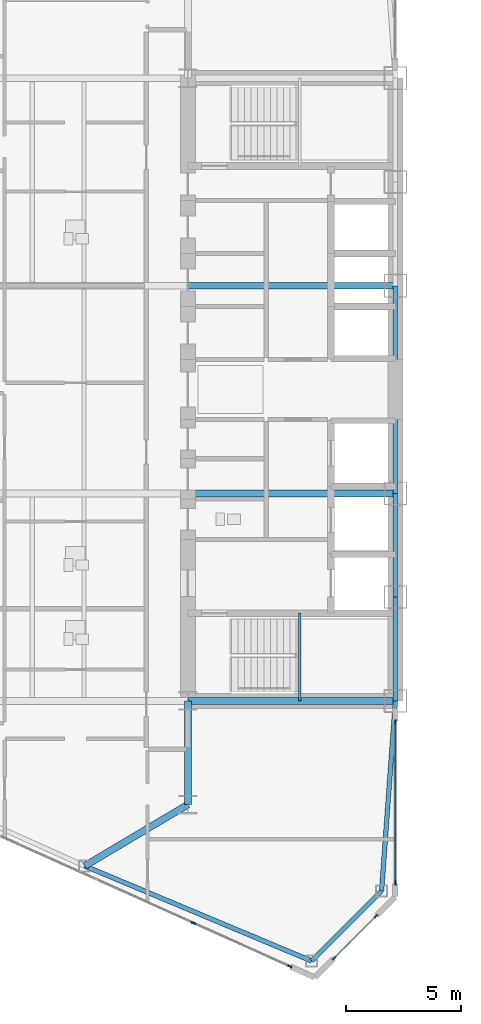
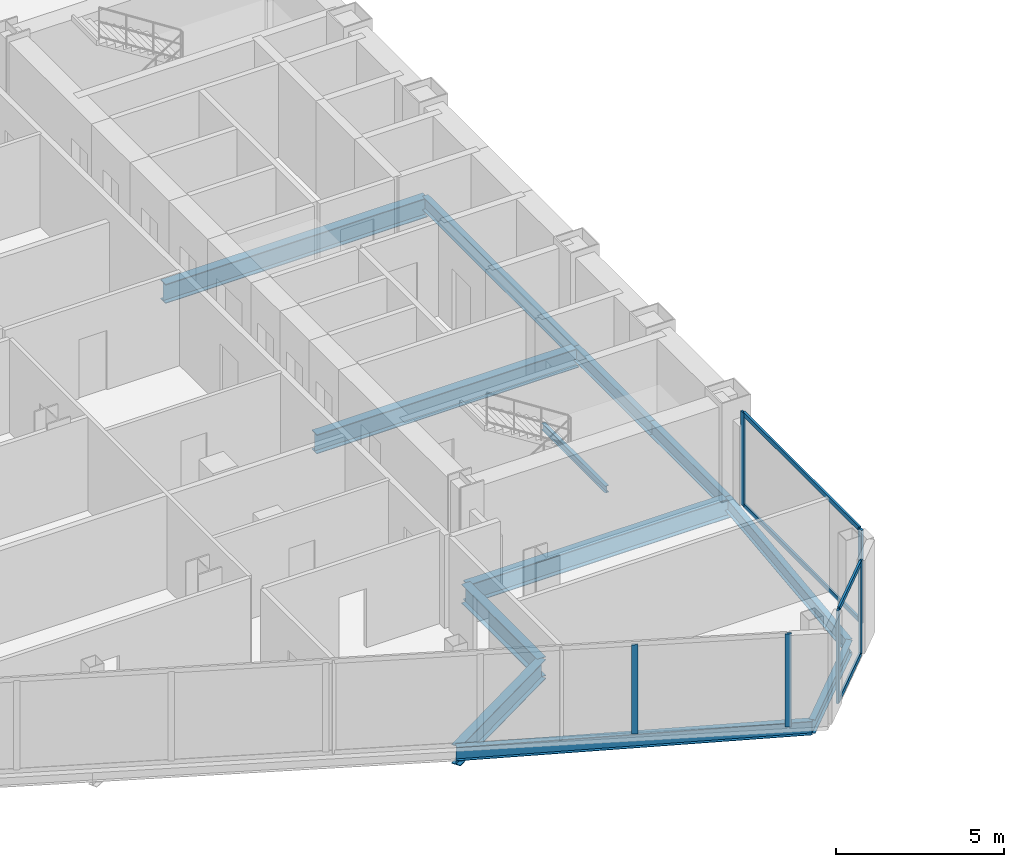
# One storey, part 6 of 27: 12 beams, 10 members, 3 elements without a shape of their own.
"""IFC4 building model written with IfcOpenShell, lengths in metres."""

from ifc_helpers import new_model, si_unit, direction, frame, origin, origin_2d, place, context, subcontext, project, spatial, rectangle, i_section, extrude, source, transform, mapped, material, layer, layer_set, material_profile, profile_set, type_object, type_shapes, element, aggregate, save


model = new_model("IFC4")

# Units and contexts
model_context = context("Model", 3, precision=1e-05, world=origin(), true_north=direction((0.0, 1.0)))
body_context = subcontext(model_context, "Body", "Model", "MODEL_VIEW")
ifc_project = project(units=[si_unit("LENGTHUNIT", "METRE"), si_unit("AREAUNIT", "SQUARE_METRE"), si_unit("VOLUMEUNIT", "CUBIC_METRE"), si_unit("PLANEANGLEUNIT", "RADIAN"), si_unit("MASSUNIT", "GRAM", prefix="KILO")], contexts=[model_context])

# Site, building, storey
site_placement = place(None, origin())
site = spatial("IfcSite", under=ifc_project, at=site_placement, CompositionType="ELEMENT")
building_placement = place(site_placement, origin())
building = spatial("IfcBuilding", under=site, at=building_placement, Name="Seokmaru Belvedere", CompositionType="ELEMENT")
storey_placement = place(building_placement, frame((0.0, 0.0, 76.5)))
storey = spatial("IfcBuildingStorey", under=building, at=storey_placement, Name="L20", CompositionType="ELEMENT", Elevation=76.5)

# Beams
ifc_material_1 = material(Name="Steel SM355 (355 MPa)", Category="steel")
ifc_material_profile_1 = material_profile(ifc_material_1, i_section(OverallWidth=0.199951171875, OverallDepth=0.5, WebThickness=0.010009765625, FlangeThickness=0.01611328125, at=origin_2d()), Name="H-500x200x10x16")
ifc_profile_set_1 = profile_set([ifc_material_profile_1], Name="Steel SM355 (355 MPa)")
beam_type_1 = type_object("IfcBeamType", Name="Perimeter Spandrel Beam H-500", PredefinedType="SPANDREL", material=ifc_profile_set_1)
shared_shape_1 = source(origin(), body_context, "Body", "SweptSolid", [
    extrude(i_section(OverallWidth=0.199951171875, OverallDepth=0.5, WebThickness=0.010009765625, FlangeThickness=0.01611328125, at=origin_2d()), origin(), (0.0, 0.0, 1.0), 4.5),
])
for number, where, z_axis, x_axis, name in (
    (1, (-27.5, -13.5, -0.469970703125), (0.0, 1.0, 0.0), (-1.0, 0.0, 0.0), "L20 W Portal Spine Spandrel 1"),
    (2, (-27.5, -9.0, -0.469970703125), (0.0, 1.0, 0.0), (-1.0, 0.0, 0.0), "L20 W Portal Spine Spandrel 2"),
):
    element("IfcBeam", number, at=place(storey_placement, frame(where, z_axis=z_axis, x_axis=x_axis)), inside=storey, type_object=beam_type_1, Name=name, PredefinedType="SPANDREL", context=body_context, shape_type="MappedRepresentation", body=[
        mapped(shared_shape_1, transform((0.0, 0.0, 0.0), scale=1.0)),
    ])
shared_shape_2 = source(origin(), body_context, "Body", "SweptSolid", [
    extrude(i_section(OverallWidth=0.199951171875, OverallDepth=0.5, WebThickness=0.010009765625, FlangeThickness=0.01611328125, at=origin_2d()), origin(), (0.0, 0.0, 1.0), 9.0),
])
beam_1_placement = place(storey_placement, frame((-27.5, -4.5, -0.469970703125), z_axis=(0.0, 1.0, 0.0), x_axis=(-1.0, 0.0, 0.0)))
element("IfcBeam", 3, at=beam_1_placement, inside=storey, type_object=beam_type_1, Name="L20 W Portal Spine Spandrel 3", PredefinedType="SPANDREL", context=body_context, shape_type="MappedRepresentation", body=[
    mapped(shared_shape_2, transform((0.0, 0.0, 0.0), scale=1.0)),
])
ifc_material_profile_2 = material_profile(ifc_material_1, i_section(OverallWidth=0.300048828125, OverallDepth=0.699951171875, WebThickness=0.012939453125, FlangeThickness=0.02392578125, at=origin_2d()), Name="H-700x300x13x24")
ifc_profile_set_2 = profile_set([ifc_material_profile_2], Name="Steel SM355 (355 MPa)")
beam_type_2 = type_object("IfcBeamType", Name="Primary Floor Girder H-700", PredefinedType="BEAM", material=ifc_profile_set_2)
shared_shape_3 = source(origin(), body_context, "Body", "SweptSolid", [
    extrude(i_section(OverallWidth=0.300048828125, OverallDepth=0.699951171875, WebThickness=0.012939453125, FlangeThickness=0.02392578125, at=origin_2d()), origin(), (0.0, 0.0, 1.0), 4.5),
])
beam_2_placement = place(storey_placement, frame((-36.5, -18.0, -0.570068359375), z_axis=(0.0, 1.0, 0.0), x_axis=(-1.0, 0.0, 0.0)))
element("IfcBeam", 4, at=beam_2_placement, inside=storey, type_object=beam_type_2, Name="L20 W Core Shoulder Girder S", PredefinedType="BEAM", context=body_context, shape_type="MappedRepresentation", body=[
    mapped(shared_shape_3, transform((0.0, 0.0, 0.0), scale=1.0)),
])
shared_shape_4 = source(origin(), body_context, "Body", "SweptSolid", [
    extrude(i_section(OverallWidth=0.300048828125, OverallDepth=0.699951171875, WebThickness=0.012939453125, FlangeThickness=0.02392578125, at=origin_2d()), origin(), (0.0, 0.0, 1.0), 9.0),
])
for number, where, z_axis, x_axis, name in (
    (5, (-36.5, -13.5, -0.570068359375), (1.0, 0.0, 0.0), (0.0, 1.0, 0.0), "L20 W Core Tie Girder 1"),
    (6, (-36.5, -4.5, -0.570068359375), (1.0, 0.0, 0.0), (0.0, 1.0, 0.0), "L20 W Core Tie Girder 2"),
    (7, (-36.5, 4.5, -0.570068359375), (1.0, 0.0, 0.0), (0.0, 1.0, 0.0), "L20 W Core Tie Girder 3"),
):
    element("IfcBeam", number, at=place(storey_placement, frame(where, z_axis=z_axis, x_axis=x_axis)), inside=storey, type_object=beam_type_2, Name=name, PredefinedType="BEAM", context=body_context, shape_type="MappedRepresentation", body=[
        mapped(shared_shape_4, transform((0.0, 0.0, 0.0), scale=1.0)),
    ])
shared_shape_5 = source(origin(), body_context, "Body", "SweptSolid", [
    extrude(i_section(OverallWidth=0.199951171875, OverallDepth=0.5, WebThickness=0.010009765625, FlangeThickness=0.01611328125, at=origin_2d()), origin(), (0.0, 0.0, 1.0), 10.66943359375),
])
beam_3_placement = place(storey_placement, frame((-31.13134765625, -24.782958984375, -0.469970703125), z_axis=(-0.922375393128, 0.386294750355, 0.0), x_axis=(-0.386294750355, -0.922375393128, 0.0)))
element("IfcBeam", 8, at=beam_3_placement, inside=storey, type_object=beam_type_1, Name="L20 W Faceted Flank Spandrel S-1", PredefinedType="SPANDREL", context=body_context, shape_type="MappedRepresentation", body=[
    mapped(shared_shape_5, transform((0.0, 0.0, 0.0), scale=1.0)),
])
shared_shape_6 = source(origin(), body_context, "Body", "SweptSolid", [
    extrude(i_section(OverallWidth=0.199951171875, OverallDepth=0.5, WebThickness=0.010009765625, FlangeThickness=0.01611328125, at=origin_2d()), origin(), (0.0, 0.0, 1.0), 4.287109375),
])
beam_4_placement = place(storey_placement, frame((-31.13134765625, -24.782958984375, -0.469970703125), z_axis=(0.707078306132, 0.707135255094, 0.0), x_axis=(-0.707135255094, 0.707078306132, 0.0)))
element("IfcBeam", 9, at=beam_4_placement, inside=storey, type_object=beam_type_1, Name="L20 W Shoulder Chamfer Spandrel S", PredefinedType="SPANDREL", context=body_context, shape_type="MappedRepresentation", body=[
    mapped(shared_shape_6, transform((0.0, 0.0, 0.0), scale=1.0)),
])
shared_shape_7 = source(origin(), body_context, "Body", "SweptSolid", [
    extrude(i_section(OverallWidth=0.199951171875, OverallDepth=0.5, WebThickness=0.010009765625, FlangeThickness=0.01611328125, at=origin_2d()), origin(), (0.0, 0.0, 1.0), 8.273193359375),
])
type_shapes(beam_type_1, [shared_shape_1, shared_shape_2, shared_shape_5, shared_shape_6, shared_shape_7])
beam_5_placement = place(storey_placement, frame((-28.10009765625, -21.75146484375, -0.469970703125), z_axis=(0.072534628348, 0.99736589459, 0.0), x_axis=(-0.99736589459, 0.072534628348, 0.0)))
element("IfcBeam", 10, at=beam_5_placement, inside=storey, type_object=beam_type_1, Name="L20 W Shoulder Spine Spandrel S", PredefinedType="SPANDREL", context=body_context, shape_type="MappedRepresentation", body=[
    mapped(shared_shape_7, transform((0.0, 0.0, 0.0), scale=1.0)),
])
shared_shape_8 = source(origin(), body_context, "Body", "SweptSolid", [
    extrude(i_section(OverallWidth=0.300048828125, OverallDepth=0.699951171875, WebThickness=0.012939453125, FlangeThickness=0.02392578125, at=origin_2d()), origin(), (0.0, 0.0, 1.0), 5.20458984375),
])
type_shapes(beam_type_2, [shared_shape_3, shared_shape_4, shared_shape_8])
beam_6_placement = place(storey_placement, frame((-40.97265625, -20.661376953125, -0.570068359375), z_axis=(0.859370434188, 0.511353553662, 0.0), x_axis=(-0.511353553662, 0.859370434188, 0.0)))
element("IfcBeam", 11, at=beam_6_placement, inside=storey, type_object=beam_type_2, Name="L20 W Flank Radial Floor Girder S-1", PredefinedType="BEAM", context=body_context, shape_type="MappedRepresentation", body=[
    mapped(shared_shape_8, transform((0.0, 0.0, 0.0), scale=1.0)),
])

# Curtain wall, members
ifc_material_2 = material(Name="Bronze Triple Insulating Glass", Category="glass")
ifc_layer = layer(ifc_material_2, 0.195068359375)
ifc_layer_set = layer_set([ifc_layer], Name="Bronze Triple Insulating Glass")
curtain_wall_type = type_object("IfcCurtainWallType", Name="Lower-Mid Tapered Curtain Wall System CW-3", PredefinedType="NOTDEFINED", material=ifc_layer_set)
curtain_wall_1_placement = place(storey_placement, origin())
curtain_wall_1 = element("IfcCurtainWall", 12, at=curtain_wall_1_placement, inside=storey, type_object=curtain_wall_type, Name="L20 Curtain Wall WSP_1", PredefinedType="NOTDEFINED")
ifc_material_3 = material(Name="Anodised Bronze Aluminium", Category="aluminium")
ifc_material_profile_3 = material_profile(ifc_material_3, rectangle(XDim=0.070068359375, YDim=0.195068359375, at=origin_2d()), Name="CW-M-70x195")
ifc_profile_set_3 = profile_set([ifc_material_profile_3], Name="Anodised Bronze Aluminium")
member_type_1 = type_object("IfcMemberType", Name="Bronze Unitised Mullion 70x195", PredefinedType="MULLION", material=ifc_profile_set_3)
shared_shape_9 = source(origin(), body_context, "Body", "SweptSolid", [
    extrude(rectangle(XDim=0.070068359375, YDim=0.195068359375, at=origin_2d()), origin(), (0.0, 0.0, 1.0), 3.3798828125),
])
member_1_placement = place(storey_placement, frame((-27.5, -21.39501953125, 0.0), z_axis=(0.0, 0.0, 1.0), x_axis=(-1.0, 0.0, 0.0)))
member_1 = element("IfcMember", 13, at=member_1_placement, type_object=member_type_1, Name="CW:L20:WSP_1 Mullion 1", PredefinedType="MULLION", context=body_context, shape_type="MappedRepresentation", body=[
    mapped(shared_shape_9, transform((0.0, 0.0, 0.0), scale=1.0)),
])
member_2_placement = place(storey_placement, frame((-27.5, -14.4150390625, 0.0), z_axis=(0.0, 0.0, 1.0), x_axis=(-1.0, 0.0, 0.0)))
member_2 = element("IfcMember", 14, at=member_2_placement, type_object=member_type_1, Name="CW:L20:WSP_1 Mullion 2", PredefinedType="MULLION", context=body_context, shape_type="MappedRepresentation", body=[
    mapped(shared_shape_9, transform((0.0, 0.0, 0.0), scale=1.0)),
])

# Curtain wall, member
curtain_wall_2_placement = place(storey_placement, origin())
curtain_wall_2 = element("IfcCurtainWall", 15, at=curtain_wall_2_placement, inside=storey, type_object=curtain_wall_type, Name="L20 Curtain Wall WF5", PredefinedType="NOTDEFINED")
member_3_placement = place(storey_placement, frame((-32.08056640625, -25.013671875, 0.0), z_axis=(0.0, 0.0, 1.0), x_axis=(0.41036554765, 0.91192111353, 0.0)))
member_3 = element("IfcMember", 16, at=member_3_placement, type_object=member_type_1, Name="CW:L20:WF5 Mullion 10", PredefinedType="MULLION", context=body_context, shape_type="MappedRepresentation", body=[
    mapped(shared_shape_9, transform((0.0, 0.0, 0.0), scale=1.0)),
])

# Curtain wall, members
curtain_wall_3_placement = place(storey_placement, origin())
curtain_wall_3 = element("IfcCurtainWall", 17, at=curtain_wall_3_placement, inside=storey, type_object=curtain_wall_type, Name="L20 Curtain Wall WF6", PredefinedType="NOTDEFINED")
member_4_placement = place(storey_placement, frame((-30.162109375, -24.662109375, 0.0), z_axis=(0.0, 0.0, 1.0), x_axis=(-0.707106781187, 0.707106781187, 0.0)))
member_4 = element("IfcMember", 18, at=member_4_placement, type_object=member_type_1, Name="CW:L20:WF6 Mullion 1", PredefinedType="MULLION", context=body_context, shape_type="MappedRepresentation", body=[
    mapped(shared_shape_9, transform((0.0, 0.0, 0.0), scale=1.0)),
])
member_5_placement = place(storey_placement, frame((-28.337890625, -22.837890625, 0.0), z_axis=(0.0, 0.0, 1.0), x_axis=(-0.707106781187, 0.707106781187, 0.0)))
member_5 = element("IfcMember", 19, at=member_5_placement, type_object=member_type_1, Name="CW:L20:WF6 Mullion 2", PredefinedType="MULLION", context=body_context, shape_type="MappedRepresentation", body=[
    mapped(shared_shape_9, transform((0.0, 0.0, 0.0), scale=1.0)),
])

# Member
ifc_material_profile_4 = material_profile(ifc_material_3, rectangle(XDim=0.070068359375, YDim=0.1650390625, at=origin_2d()), Name="CW-T-70x165")
ifc_profile_set_4 = profile_set([ifc_material_profile_4], Name="Anodised Bronze Aluminium")
member_type_2 = type_object("IfcMemberType", Name="Bronze Unitised Transom 70x165", PredefinedType="USERDEFINED", material=ifc_profile_set_4)
shared_shape_10 = source(origin(), body_context, "Body", "SweptSolid", [
    extrude(rectangle(XDim=0.070068359375, YDim=0.1650390625, at=origin_2d()), origin(), (0.0, 0.0, 1.0), 6.91015625),
])
member_6_placement = place(storey_placement, frame((-27.5, -21.360107421875, 0.034912109375), z_axis=(0.0, 1.0, 0.0), x_axis=(-1.0, 0.0, 0.0)))
member_6 = element("IfcMember", 20, at=member_6_placement, type_object=member_type_2, Name="CW:L20:WSP_1 Continuous Transom 1", ObjectType="TRANSOM", PredefinedType="USERDEFINED", context=body_context, shape_type="MappedRepresentation", body=[
    mapped(shared_shape_10, transform((0.0, 0.0, 0.0), scale=1.0)),
])

member_7_placement = place(storey_placement, frame((-27.5, -21.360107421875, 3.344970703125), z_axis=(0.0, 1.0, 0.0), x_axis=(-1.0, 0.0, 0.0)))
member_7 = element("IfcMember", 21, at=member_7_placement, type_object=member_type_2, Name="CW:L20:WSP_1 Continuous Transom 2", ObjectType="TRANSOM", PredefinedType="USERDEFINED", context=body_context, shape_type="MappedRepresentation", body=[
    mapped(shared_shape_10, transform((0.0, 0.0, 0.0), scale=1.0)),
])

aggregate(curtain_wall_1, [member_1, member_2, member_6, member_7])

shared_shape_11 = source(origin(), body_context, "Body", "SweptSolid", [
    extrude(rectangle(XDim=0.070068359375, YDim=0.1650390625, at=origin_2d()), origin(), (0.0, 0.0, 1.0), 2.509521484375),
])
type_shapes(member_type_2, [shared_shape_10, shared_shape_11])
member_8_placement = place(storey_placement, frame((-30.13720703125, -24.63720703125, 0.034912109375), z_axis=(0.707106781187, 0.707106781187, 0.0), x_axis=(-0.707106781187, 0.707106781187, 0.0)))
member_8 = element("IfcMember", 22, at=member_8_placement, type_object=member_type_2, Name="CW:L20:WF6 Continuous Transom 1", ObjectType="TRANSOM", PredefinedType="USERDEFINED", context=body_context, shape_type="MappedRepresentation", body=[
    mapped(shared_shape_11, transform((0.0, 0.0, 0.0), scale=1.0)),
])

member_9_placement = place(storey_placement, frame((-30.13720703125, -24.63720703125, 3.344970703125), z_axis=(0.707106781187, 0.707106781187, 0.0), x_axis=(-0.707106781187, 0.707106781187, 0.0)))
member_9 = element("IfcMember", 23, at=member_9_placement, type_object=member_type_2, Name="CW:L20:WF6 Continuous Transom 2", ObjectType="TRANSOM", PredefinedType="USERDEFINED", context=body_context, shape_type="MappedRepresentation", body=[
    mapped(shared_shape_11, transform((0.0, 0.0, 0.0), scale=1.0)),
])

aggregate(curtain_wall_3, [member_4, member_5, member_8, member_9])

shared_shape_12 = source(origin(), body_context, "Body", "SweptSolid", [
    extrude(rectangle(XDim=0.070068359375, YDim=0.195068359375, at=origin_2d()), origin(), (0.0, 0.0, 1.0), 3.239990234375),
])
type_shapes(member_type_1, [shared_shape_9, shared_shape_12])
member_10_placement = place(storey_placement, frame((-36.260009765625, -23.133056640625, 0.070068359375), z_axis=(0.0, 0.0, 1.0), x_axis=(0.41036554765, 0.91192111353, 0.0)))
member_10 = element("IfcMember", 24, at=member_10_placement, type_object=member_type_1, Name="CW:L20:WF5 Mullion 9", PredefinedType="MULLION", context=body_context, shape_type="MappedRepresentation", body=[
    mapped(shared_shape_12, transform((0.0, 0.0, 0.0), scale=1.0)),
])

aggregate(curtain_wall_2, [member_10, member_3])

# Beam
ifc_material_profile_5 = material_profile(ifc_material_1, i_section(OverallWidth=0.125, OverallDepth=0.25, WebThickness=0.006103515625, FlangeThickness=0.009033203125, at=origin_2d()), Name="H-250x125x6x9")
ifc_profile_set_5 = profile_set([ifc_material_profile_5], Name="Steel SM355 (355 MPa)")
beam_type_3 = type_object("IfcBeamType", Name="Stair Mid-Landing Support Beam H-250", PredefinedType="JOIST", material=ifc_profile_set_5)
shared_shape_13 = source(origin(), body_context, "Body", "SweptSolid", [
    extrude(i_section(OverallWidth=0.125, OverallDepth=0.25, WebThickness=0.006103515625, FlangeThickness=0.009033203125, at=origin_2d()), origin(), (0.0, 0.0, 1.0), 3.800048828125),
])
type_shapes(beam_type_3, [shared_shape_13])
beam_7_placement = place(storey_placement, frame((-31.64990234375, -13.5, 1.47509765625), z_axis=(0.0, 1.0, 0.0), x_axis=(-1.0, 0.0, 0.0)))
element("IfcBeam", 25, at=beam_7_placement, inside=storey, type_object=beam_type_3, Name="L20 Stair ST-W1 Mid-Landing Support Beam 1", PredefinedType="JOIST", context=body_context, shape_type="MappedRepresentation", body=[
    mapped(shared_shape_13, transform((0.0, 0.0, 0.0), scale=1.0)),
])

save(model, "model.ifc")
